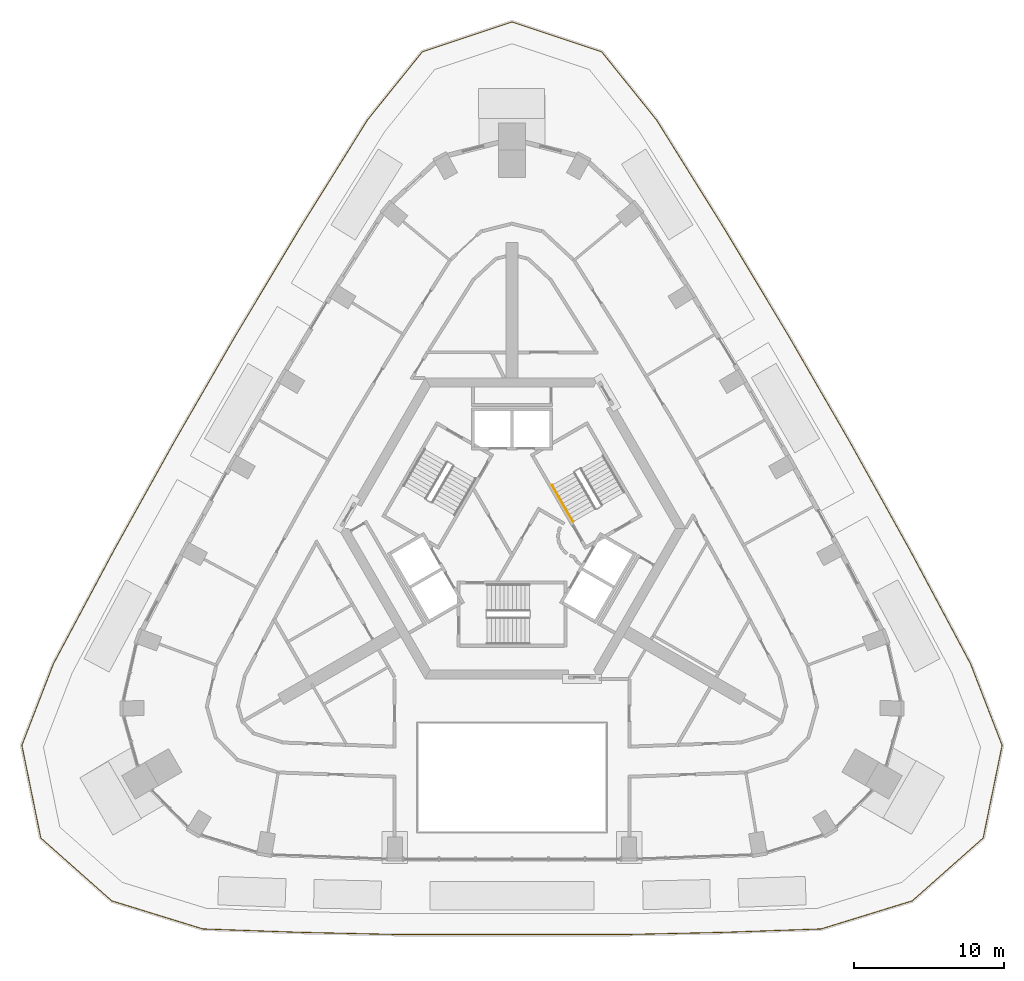
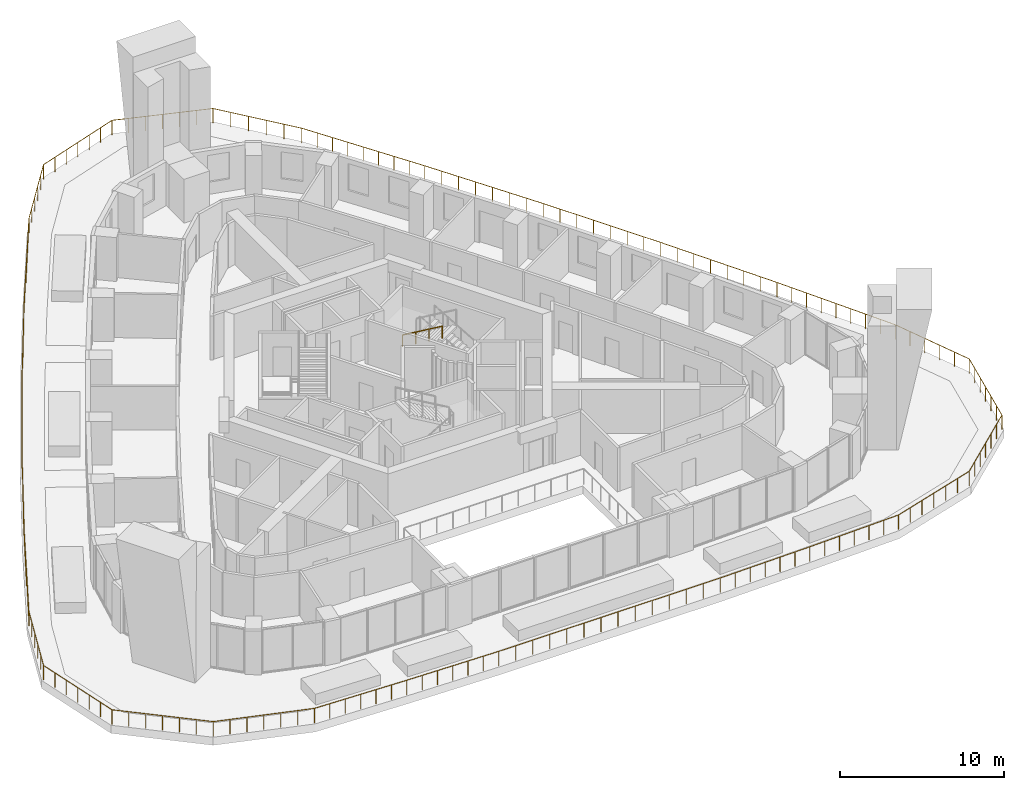
# One storey, part 12 of 14: 2 railings.
"""IFC4 building model written with IfcOpenShell, lengths in metres."""

from ifc_helpers import new_model, si_unit, direction, frame, origin, origin_2d, place, context, subcontext, project, spatial, circle, extrude, material, type_object, element, save


model = new_model("IFC4")

# Units and contexts
model_context = context("Model", 3, precision=1e-05, world=origin(), true_north=direction((0.0, 1.0)))
body_context = subcontext(model_context, "Body", "Model", "MODEL_VIEW")
ifc_project = project(units=[si_unit("LENGTHUNIT", "METRE"), si_unit("AREAUNIT", "SQUARE_METRE"), si_unit("VOLUMEUNIT", "CUBIC_METRE"), si_unit("PLANEANGLEUNIT", "RADIAN"), si_unit("MASSUNIT", "GRAM", prefix="KILO")], contexts=[model_context])

# Site, building, storey
site_placement = place(None, origin())
site = spatial("IfcSite", under=ifc_project, at=site_placement, CompositionType="ELEMENT")
building_placement = place(site_placement, origin())
building = spatial("IfcBuilding", under=site, at=building_placement, Name="Entoto Arch Interchange Tower", CompositionType="ELEMENT")
storey_placement = place(building_placement, frame((0.0, 0.0, 241.39990234375)))
storey = spatial("IfcBuildingStorey", under=building, at=storey_placement, Name="L54", CompositionType="ELEMENT", Elevation=241.39990234375)

# Railings
ifc_material = material(Name="Stainless steel 1.4301", Category="steel")
railing_type_1 = type_object("IfcRailingType", Name="GUARD 1100 STEEL AND GLASS", PredefinedType="GUARDRAIL", material=ifc_material)
railing_1_placement = place(storey_placement, frame((-20.549072265625, -24.1201171875, 0.0)))
element("IfcRailing", 1, at=railing_1_placement, inside=storey, type_object=railing_type_1, Name="Terrace guard L54", PredefinedType="GUARDRAIL", context=body_context, shape_type="SweptSolid", body=[
    extrude(circle(Radius=0.02392578125, at=origin_2d()), frame((0.0, 0.0, 1.076171875), z_axis=(-0.95557200391, 0.294757774016, 0.0), x_axis=(-0.294757774016, -0.95557200391, 0.0)), (0.0, 0.0, 1.0), 6.331298828125),
    extrude(circle(Radius=0.02392578125, at=origin_2d()), frame((-6.050048828125, 1.8662109375, 1.076171875), z_axis=(-0.748450157047, 0.663191045187, 0.0), x_axis=(-0.663191045187, -0.748450157047, 0.0)), (0.0, 0.0, 1.0), 6.296875),
    extrude(circle(Radius=0.02392578125, at=origin_2d()), frame((-10.762939453125, 6.042236328125, 1.076171875), z_axis=(-0.200071832249, 0.979781231674, 0.0), x_axis=(-0.979781231674, -0.200071832249, 0.0)), (0.0, 0.0, 1.0), 6.2880859375),
    extrude(circle(Radius=0.02392578125, at=origin_2d()), frame((-12.02099609375, 12.203125, 1.076171875), z_axis=(0.360992921244, 0.932568555556, 0.0), x_axis=(-0.932568555556, 0.360992921244, 0.0)), (0.0, 0.0, 1.0), 5.7978515625),
    extrude(circle(Radius=0.02392578125, at=origin_2d()), frame((-9.927978515625, 17.610107421875, 1.076171875), z_axis=(0.470546425088, 0.882375238681, 0.0), x_axis=(-0.882375238681, 0.470546425088, 0.0)), (0.0, 0.0, 1.0), 8.486328125),
    extrude(circle(Radius=0.02392578125, at=origin_2d()), frame((-5.934814453125, 25.09814453125, 1.076171875), z_axis=(0.485472355643, 0.874252018532, 0.0), x_axis=(-0.874252018532, 0.485472355643, 0.0)), (0.0, 0.0, 1.0), 8.26416015625),
    extrude(circle(Radius=0.02392578125, at=origin_2d()), frame((-1.9228515625, 32.322998046875, 1.076171875), z_axis=(0.499964538592, 0.86604587647, 0.0), x_axis=(-0.86604587647, 0.499964538592, 0.0)), (0.0, 0.0, 1.0), 8.26416015625),
    extrude(circle(Radius=0.02392578125, at=origin_2d()), frame((2.208984375, 39.480224609375, 1.076171875), z_axis=(0.514391484489, 0.857555479654, 0.0), x_axis=(-0.857555479654, 0.514391484489, 0.0)), (0.0, 0.0, 1.0), 8.26416015625),
    extrude(circle(Radius=0.02392578125, at=origin_2d()), frame((6.4599609375, 46.567138671875, 1.076171875), z_axis=(0.529018421146, 0.84861034055, 0.0), x_axis=(-0.84861034055, 0.529018421146, 0.0)), (0.0, 0.0, 1.0), 8.485595703125),
    extrude(circle(Radius=0.02392578125, at=origin_2d()), frame((10.948974609375, 53.76806640625, 1.076171875), z_axis=(0.626956440078, 0.77905431277, 0.0), x_axis=(-0.77905431277, 0.626956440078, 0.0)), (0.0, 0.0, 1.0), 5.79931640625),
    extrude(circle(Radius=0.02392578125, at=origin_2d()), frame((14.5849609375, 58.2861328125, 1.076171875), z_axis=(0.948590063676, 0.31650733182, 0.0), x_axis=(-0.31650733182, 0.948590063676, 0.0)), (0.0, 0.0, 1.0), 6.287353515625),
    extrude(circle(Radius=0.02392578125, at=origin_2d()), frame((20.549072265625, 60.276123046875, 1.076171875), z_axis=(0.948590063676, -0.31650733182, 0.0), x_axis=(0.31650733182, 0.948590063676, 0.0)), (0.0, 0.0, 1.0), 6.287353515625),
    extrude(circle(Radius=0.02392578125, at=origin_2d()), frame((26.51318359375, 58.2861328125, 1.076171875), z_axis=(0.626956440078, -0.77905431277, 0.0), x_axis=(0.77905431277, 0.626956440078, 0.0)), (0.0, 0.0, 1.0), 5.79931640625),
    extrude(circle(Radius=0.02392578125, at=origin_2d()), frame((30.149169921875, 53.76806640625, 1.076171875), z_axis=(0.529018421146, -0.84861034055, 0.0), x_axis=(0.84861034055, 0.529018421146, 0.0)), (0.0, 0.0, 1.0), 8.485595703125),
    extrude(circle(Radius=0.02392578125, at=origin_2d()), frame((34.63818359375, 46.567138671875, 1.076171875), z_axis=(0.514391484489, -0.857555479654, 0.0), x_axis=(0.857555479654, 0.514391484489, 0.0)), (0.0, 0.0, 1.0), 8.26416015625),
    extrude(circle(Radius=0.02392578125, at=origin_2d()), frame((38.88916015625, 39.480224609375, 1.076171875), z_axis=(0.499964538592, -0.86604587647, 0.0), x_axis=(0.86604587647, 0.499964538592, 0.0)), (0.0, 0.0, 1.0), 8.26416015625),
    extrude(circle(Radius=0.02392578125, at=origin_2d()), frame((43.02099609375, 32.322998046875, 1.076171875), z_axis=(0.485472355643, -0.874252018532, 0.0), x_axis=(0.874252018532, 0.485472355643, 0.0)), (0.0, 0.0, 1.0), 8.26416015625),
    extrude(circle(Radius=0.02392578125, at=origin_2d()), frame((47.032958984375, 25.09814453125, 1.076171875), z_axis=(0.470546425088, -0.882375238681, 0.0), x_axis=(0.882375238681, 0.470546425088, 0.0)), (0.0, 0.0, 1.0), 8.486328125),
    extrude(circle(Radius=0.02392578125, at=origin_2d()), frame((51.026123046875, 17.610107421875, 1.076171875), z_axis=(0.360992921244, -0.932568555556, 0.0), x_axis=(0.932568555556, 0.360992921244, 0.0)), (0.0, 0.0, 1.0), 5.7978515625),
    extrude(circle(Radius=0.02392578125, at=origin_2d()), frame((53.119140625, 12.203125, 1.076171875), z_axis=(-0.200071832249, -0.979781231674, 0.0), x_axis=(0.979781231674, -0.200071832249, 0.0)), (0.0, 0.0, 1.0), 6.2880859375),
    extrude(circle(Radius=0.02392578125, at=origin_2d()), frame((51.861083984375, 6.042236328125, 1.076171875), z_axis=(-0.748450157047, -0.663191045187, 0.0), x_axis=(0.663191045187, -0.748450157047, 0.0)), (0.0, 0.0, 1.0), 6.296875),
    extrude(circle(Radius=0.02392578125, at=origin_2d()), frame((47.148193359375, 1.8662109375, 1.076171875), z_axis=(-0.95557200391, -0.294757774016, 0.0), x_axis=(0.294757774016, -0.95557200391, 0.0)), (0.0, 0.0, 1.0), 6.331298828125),
    extrude(circle(Radius=0.02392578125, at=origin_2d()), frame((41.09814453125, 0.0, 1.076171875), z_axis=(-0.999382423103, -0.035139328297, 0.0), x_axis=(0.035139328297, -0.999382423103, 0.0)), (0.0, 0.0, 1.0), 6.37109375),
    extrude(circle(Radius=0.02392578125, at=origin_2d()), frame((34.73095703125, -0.223876953125, 1.076171875), z_axis=(-0.99975230883, -0.022255807977, 0.0), x_axis=(0.022255807977, -0.99975230883, 0.0)), (0.0, 0.0, 1.0), 6.38427734375),
    extrude(circle(Radius=0.02392578125, at=origin_2d()), frame((28.34814453125, -0.365966796875, 1.076171875), z_axis=(-1.0, 0.0, 0.0), x_axis=(0.0, -1.0, 0.0)), (0.0, 0.0, 1.0), 15.59814453125),
    extrude(circle(Radius=0.02392578125, at=origin_2d()), frame((12.75, -0.365966796875, 1.076171875), z_axis=(-0.99975230883, 0.022255807977, 0.0), x_axis=(-0.022255807977, -0.99975230883, 0.0)), (0.0, 0.0, 1.0), 6.38427734375),
    extrude(circle(Radius=0.02392578125, at=origin_2d()), frame((6.3671875, -0.223876953125, 1.076171875), z_axis=(-0.999382423103, 0.035139328297, 0.0), x_axis=(-0.035139328297, -0.999382423103, 0.0)), (0.0, 0.0, 1.0), 6.37109375),
    extrude(circle(Radius=0.02099609375, at=origin_2d()), origin(), (0.0, 0.0, 1.0), 1.052001953125),
    extrude(circle(Radius=0.02099609375, at=origin_2d()), frame((-1.00830078125, 0.31103515625, 0.0)), (0.0, 0.0, 1.0), 1.052001953125),
    extrude(circle(Radius=0.02099609375, at=origin_2d()), frame((-2.0166015625, 0.6220703125, 0.0)), (0.0, 0.0, 1.0), 1.052001953125),
    extrude(circle(Radius=0.02099609375, at=origin_2d()), frame((-3.02490234375, 0.93310546875, 0.0)), (0.0, 0.0, 1.0), 1.052001953125),
    extrude(circle(Radius=0.02099609375, at=origin_2d()), frame((-4.033447265625, 1.244140625, 0.0)), (0.0, 0.0, 1.0), 1.052001953125),
    extrude(circle(Radius=0.02099609375, at=origin_2d()), frame((-5.041748046875, 1.55517578125, 0.0)), (0.0, 0.0, 1.0), 1.052001953125),
    extrude(circle(Radius=0.02099609375, at=origin_2d()), frame((-6.050048828125, 1.8662109375, 0.0)), (0.0, 0.0, 1.0), 1.052001953125),
    extrude(circle(Radius=0.02099609375, at=origin_2d()), frame((-6.83544921875, 2.562255859375, 0.0)), (0.0, 0.0, 1.0), 1.052001953125),
    extrude(circle(Radius=0.02099609375, at=origin_2d()), frame((-7.62109375, 3.25830078125, 0.0)), (0.0, 0.0, 1.0), 1.052001953125),
    extrude(circle(Radius=0.02099609375, at=origin_2d()), frame((-8.406494140625, 3.9541015625, 0.0)), (0.0, 0.0, 1.0), 1.052001953125),
    extrude(circle(Radius=0.02099609375, at=origin_2d()), frame((-9.19189453125, 4.650146484375, 0.0)), (0.0, 0.0, 1.0), 1.052001953125),
    extrude(circle(Radius=0.02099609375, at=origin_2d()), frame((-9.9775390625, 5.34619140625, 0.0)), (0.0, 0.0, 1.0), 1.052001953125),
    extrude(circle(Radius=0.02099609375, at=origin_2d()), frame((-10.762939453125, 6.042236328125, 0.0)), (0.0, 0.0, 1.0), 1.052001953125),
    extrude(circle(Radius=0.02099609375, at=origin_2d()), frame((-10.97265625, 7.069091796875, 0.0)), (0.0, 0.0, 1.0), 1.052001953125),
    extrude(circle(Radius=0.02099609375, at=origin_2d()), frame((-11.182373046875, 8.095947265625, 0.0)), (0.0, 0.0, 1.0), 1.052001953125),
    extrude(circle(Radius=0.02099609375, at=origin_2d()), frame((-11.39208984375, 9.12255859375, 0.0)), (0.0, 0.0, 1.0), 1.052001953125),
    extrude(circle(Radius=0.02099609375, at=origin_2d()), frame((-11.6015625, 10.1494140625, 0.0)), (0.0, 0.0, 1.0), 1.052001953125),
    extrude(circle(Radius=0.02099609375, at=origin_2d()), frame((-11.811279296875, 11.17626953125, 0.0)), (0.0, 0.0, 1.0), 1.052001953125),
    extrude(circle(Radius=0.02099609375, at=origin_2d()), frame((-12.02099609375, 12.203125, 0.0)), (0.0, 0.0, 1.0), 1.052001953125),
    extrude(circle(Radius=0.02099609375, at=origin_2d()), frame((-11.602294921875, 13.284423828125, 0.0)), (0.0, 0.0, 1.0), 1.052001953125),
    extrude(circle(Radius=0.02099609375, at=origin_2d()), frame((-11.183837890625, 14.365966796875, 0.0)), (0.0, 0.0, 1.0), 1.052001953125),
    extrude(circle(Radius=0.02099609375, at=origin_2d()), frame((-10.76513671875, 15.447265625, 0.0)), (0.0, 0.0, 1.0), 1.052001953125),
    extrude(circle(Radius=0.02099609375, at=origin_2d()), frame((-10.3466796875, 16.52880859375, 0.0)), (0.0, 0.0, 1.0), 1.052001953125),
    extrude(circle(Radius=0.02099609375, at=origin_2d()), frame((-9.927978515625, 17.610107421875, 0.0)), (0.0, 0.0, 1.0), 1.052001953125),
    extrude(circle(Radius=0.02099609375, at=origin_2d()), frame((-9.4287109375, 18.546142578125, 0.0)), (0.0, 0.0, 1.0), 1.052001953125),
    extrude(circle(Radius=0.02099609375, at=origin_2d()), frame((-8.9296875, 19.482177734375, 0.0)), (0.0, 0.0, 1.0), 1.052001953125),
    extrude(circle(Radius=0.02099609375, at=origin_2d()), frame((-8.4306640625, 20.418212890625, 0.0)), (0.0, 0.0, 1.0), 1.052001953125),
    extrude(circle(Radius=0.02099609375, at=origin_2d()), frame((-7.931396484375, 21.35400390625, 0.0)), (0.0, 0.0, 1.0), 1.052001953125),
    extrude(circle(Radius=0.02099609375, at=origin_2d()), frame((-7.43212890625, 22.2900390625, 0.0)), (0.0, 0.0, 1.0), 1.052001953125),
    extrude(circle(Radius=0.02099609375, at=origin_2d()), frame((-6.93310546875, 23.22607421875, 0.0)), (0.0, 0.0, 1.0), 1.052001953125),
    extrude(circle(Radius=0.02099609375, at=origin_2d()), frame((-6.43408203125, 24.162109375, 0.0)), (0.0, 0.0, 1.0), 1.052001953125),
    extrude(circle(Radius=0.02099609375, at=origin_2d()), frame((-5.934814453125, 25.09814453125, 0.0)), (0.0, 0.0, 1.0), 1.052001953125),
    extrude(circle(Radius=0.02099609375, at=origin_2d()), frame((-5.361572265625, 26.13037109375, 0.0)), (0.0, 0.0, 1.0), 1.052001953125),
    extrude(circle(Radius=0.02099609375, at=origin_2d()), frame((-4.78857421875, 27.162353515625, 0.0)), (0.0, 0.0, 1.0), 1.052001953125),
    extrude(circle(Radius=0.02099609375, at=origin_2d()), frame((-4.21533203125, 28.194580078125, 0.0)), (0.0, 0.0, 1.0), 1.052001953125),
    extrude(circle(Radius=0.02099609375, at=origin_2d()), frame((-3.642333984375, 29.2265625, 0.0)), (0.0, 0.0, 1.0), 1.052001953125),
    extrude(circle(Radius=0.02099609375, at=origin_2d()), frame((-3.069091796875, 30.2587890625, 0.0)), (0.0, 0.0, 1.0), 1.052001953125),
    extrude(circle(Radius=0.02099609375, at=origin_2d()), frame((-2.49609375, 31.290771484375, 0.0)), (0.0, 0.0, 1.0), 1.052001953125),
    extrude(circle(Radius=0.02099609375, at=origin_2d()), frame((-1.9228515625, 32.322998046875, 0.0)), (0.0, 0.0, 1.0), 1.052001953125),
    extrude(circle(Radius=0.02099609375, at=origin_2d()), frame((-1.33251953125, 33.345458984375, 0.0)), (0.0, 0.0, 1.0), 1.052001953125),
    extrude(circle(Radius=0.02099609375, at=origin_2d()), frame((-0.742431640625, 34.367919921875, 0.0)), (0.0, 0.0, 1.0), 1.052001953125),
    extrude(circle(Radius=0.02099609375, at=origin_2d()), frame((-0.152099609375, 35.390380859375, 0.0)), (0.0, 0.0, 1.0), 1.052001953125),
    extrude(circle(Radius=0.02099609375, at=origin_2d()), frame((0.438232421875, 36.412841796875, 0.0)), (0.0, 0.0, 1.0), 1.052001953125),
    extrude(circle(Radius=0.02099609375, at=origin_2d()), frame((1.028564453125, 37.435302734375, 0.0)), (0.0, 0.0, 1.0), 1.052001953125),
    extrude(circle(Radius=0.02099609375, at=origin_2d()), frame((1.61865234375, 38.457763671875, 0.0)), (0.0, 0.0, 1.0), 1.052001953125),
    extrude(circle(Radius=0.02099609375, at=origin_2d()), frame((2.208984375, 39.480224609375, 0.0)), (0.0, 0.0, 1.0), 1.052001953125),
    extrude(circle(Radius=0.02099609375, at=origin_2d()), frame((2.816162109375, 40.49267578125, 0.0)), (0.0, 0.0, 1.0), 1.052001953125),
    extrude(circle(Radius=0.02099609375, at=origin_2d()), frame((3.423583984375, 41.505126953125, 0.0)), (0.0, 0.0, 1.0), 1.052001953125),
    extrude(circle(Radius=0.02099609375, at=origin_2d()), frame((4.03076171875, 42.517578125, 0.0)), (0.0, 0.0, 1.0), 1.052001953125),
    extrude(circle(Radius=0.02099609375, at=origin_2d()), frame((4.63818359375, 43.52978515625, 0.0)), (0.0, 0.0, 1.0), 1.052001953125),
    extrude(circle(Radius=0.02099609375, at=origin_2d()), frame((5.245361328125, 44.542236328125, 0.0)), (0.0, 0.0, 1.0), 1.052001953125),
    extrude(circle(Radius=0.02099609375, at=origin_2d()), frame((5.852783203125, 45.5546875, 0.0)), (0.0, 0.0, 1.0), 1.052001953125),
    extrude(circle(Radius=0.02099609375, at=origin_2d()), frame((6.4599609375, 46.567138671875, 0.0)), (0.0, 0.0, 1.0), 1.052001953125),
    extrude(circle(Radius=0.02099609375, at=origin_2d()), frame((7.02099609375, 47.46728515625, 0.0)), (0.0, 0.0, 1.0), 1.052001953125),
    extrude(circle(Radius=0.02099609375, at=origin_2d()), frame((7.582275390625, 48.367431640625, 0.0)), (0.0, 0.0, 1.0), 1.052001953125),
    extrude(circle(Radius=0.02099609375, at=origin_2d()), frame((8.143310546875, 49.267578125, 0.0)), (0.0, 0.0, 1.0), 1.052001953125),
    extrude(circle(Radius=0.02099609375, at=origin_2d()), frame((8.70458984375, 50.16748046875, 0.0)), (0.0, 0.0, 1.0), 1.052001953125),
    extrude(circle(Radius=0.02099609375, at=origin_2d()), frame((9.265625, 51.067626953125, 0.0)), (0.0, 0.0, 1.0), 1.052001953125),
    extrude(circle(Radius=0.02099609375, at=origin_2d()), frame((9.82666015625, 51.9677734375, 0.0)), (0.0, 0.0, 1.0), 1.052001953125),
    extrude(circle(Radius=0.02099609375, at=origin_2d()), frame((10.387939453125, 52.867919921875, 0.0)), (0.0, 0.0, 1.0), 1.052001953125),
    extrude(circle(Radius=0.02099609375, at=origin_2d()), frame((10.948974609375, 53.76806640625, 0.0)), (0.0, 0.0, 1.0), 1.052001953125),
    extrude(circle(Radius=0.02099609375, at=origin_2d()), frame((11.67626953125, 54.671630859375, 0.0)), (0.0, 0.0, 1.0), 1.052001953125),
    extrude(circle(Radius=0.02099609375, at=origin_2d()), frame((12.4033203125, 55.5751953125, 0.0)), (0.0, 0.0, 1.0), 1.052001953125),
    extrude(circle(Radius=0.02099609375, at=origin_2d()), frame((13.130615234375, 56.47900390625, 0.0)), (0.0, 0.0, 1.0), 1.052001953125),
    extrude(circle(Radius=0.02099609375, at=origin_2d()), frame((13.857666015625, 57.382568359375, 0.0)), (0.0, 0.0, 1.0), 1.052001953125),
    extrude(circle(Radius=0.02099609375, at=origin_2d()), frame((14.5849609375, 58.2861328125, 0.0)), (0.0, 0.0, 1.0), 1.052001953125),
    extrude(circle(Radius=0.02099609375, at=origin_2d()), frame((15.5791015625, 58.61767578125, 0.0)), (0.0, 0.0, 1.0), 1.052001953125),
    extrude(circle(Radius=0.02099609375, at=origin_2d()), frame((16.572998046875, 58.949462890625, 0.0)), (0.0, 0.0, 1.0), 1.052001953125),
    extrude(circle(Radius=0.02099609375, at=origin_2d()), frame((17.56689453125, 59.28125, 0.0)), (0.0, 0.0, 1.0), 1.052001953125),
    extrude(circle(Radius=0.02099609375, at=origin_2d()), frame((18.56103515625, 59.61279296875, 0.0)), (0.0, 0.0, 1.0), 1.052001953125),
    extrude(circle(Radius=0.02099609375, at=origin_2d()), frame((19.55517578125, 59.9443359375, 0.0)), (0.0, 0.0, 1.0), 1.052001953125),
    extrude(circle(Radius=0.02099609375, at=origin_2d()), frame((20.549072265625, 60.276123046875, 0.0)), (0.0, 0.0, 1.0), 1.052001953125),
    extrude(circle(Radius=0.02099609375, at=origin_2d()), frame((21.54296875, 59.9443359375, 0.0)), (0.0, 0.0, 1.0), 1.052001953125),
    extrude(circle(Radius=0.02099609375, at=origin_2d()), frame((22.537109375, 59.61279296875, 0.0)), (0.0, 0.0, 1.0), 1.052001953125),
    extrude(circle(Radius=0.02099609375, at=origin_2d()), frame((23.53125, 59.28125, 0.0)), (0.0, 0.0, 1.0), 1.052001953125),
    extrude(circle(Radius=0.02099609375, at=origin_2d()), frame((24.525146484375, 58.949462890625, 0.0)), (0.0, 0.0, 1.0), 1.052001953125),
    extrude(circle(Radius=0.02099609375, at=origin_2d()), frame((25.51904296875, 58.61767578125, 0.0)), (0.0, 0.0, 1.0), 1.052001953125),
    extrude(circle(Radius=0.02099609375, at=origin_2d()), frame((26.51318359375, 58.2861328125, 0.0)), (0.0, 0.0, 1.0), 1.052001953125),
    extrude(circle(Radius=0.02099609375, at=origin_2d()), frame((27.240478515625, 57.382568359375, 0.0)), (0.0, 0.0, 1.0), 1.052001953125),
    extrude(circle(Radius=0.02099609375, at=origin_2d()), frame((27.967529296875, 56.47900390625, 0.0)), (0.0, 0.0, 1.0), 1.052001953125),
    extrude(circle(Radius=0.02099609375, at=origin_2d()), frame((28.69482421875, 55.5751953125, 0.0)), (0.0, 0.0, 1.0), 1.052001953125),
    extrude(circle(Radius=0.02099609375, at=origin_2d()), frame((29.421875, 54.671630859375, 0.0)), (0.0, 0.0, 1.0), 1.052001953125),
    extrude(circle(Radius=0.02099609375, at=origin_2d()), frame((30.149169921875, 53.76806640625, 0.0)), (0.0, 0.0, 1.0), 1.052001953125),
    extrude(circle(Radius=0.02099609375, at=origin_2d()), frame((30.710205078125, 52.867919921875, 0.0)), (0.0, 0.0, 1.0), 1.052001953125),
    extrude(circle(Radius=0.02099609375, at=origin_2d()), frame((31.271484375, 51.9677734375, 0.0)), (0.0, 0.0, 1.0), 1.052001953125),
    extrude(circle(Radius=0.02099609375, at=origin_2d()), frame((31.83251953125, 51.067626953125, 0.0)), (0.0, 0.0, 1.0), 1.052001953125),
    extrude(circle(Radius=0.02099609375, at=origin_2d()), frame((32.3935546875, 50.16748046875, 0.0)), (0.0, 0.0, 1.0), 1.052001953125),
    extrude(circle(Radius=0.02099609375, at=origin_2d()), frame((32.954833984375, 49.267578125, 0.0)), (0.0, 0.0, 1.0), 1.052001953125),
    extrude(circle(Radius=0.02099609375, at=origin_2d()), frame((33.515869140625, 48.367431640625, 0.0)), (0.0, 0.0, 1.0), 1.052001953125),
    extrude(circle(Radius=0.02099609375, at=origin_2d()), frame((34.0771484375, 47.46728515625, 0.0)), (0.0, 0.0, 1.0), 1.052001953125),
    extrude(circle(Radius=0.02099609375, at=origin_2d()), frame((34.63818359375, 46.567138671875, 0.0)), (0.0, 0.0, 1.0), 1.052001953125),
    extrude(circle(Radius=0.02099609375, at=origin_2d()), frame((35.245361328125, 45.5546875, 0.0)), (0.0, 0.0, 1.0), 1.052001953125),
    extrude(circle(Radius=0.02099609375, at=origin_2d()), frame((35.852783203125, 44.542236328125, 0.0)), (0.0, 0.0, 1.0), 1.052001953125),
    extrude(circle(Radius=0.02099609375, at=origin_2d()), frame((36.4599609375, 43.52978515625, 0.0)), (0.0, 0.0, 1.0), 1.052001953125),
    extrude(circle(Radius=0.02099609375, at=origin_2d()), frame((37.0673828125, 42.517578125, 0.0)), (0.0, 0.0, 1.0), 1.052001953125),
    extrude(circle(Radius=0.02099609375, at=origin_2d()), frame((37.674560546875, 41.505126953125, 0.0)), (0.0, 0.0, 1.0), 1.052001953125),
    extrude(circle(Radius=0.02099609375, at=origin_2d()), frame((38.281982421875, 40.49267578125, 0.0)), (0.0, 0.0, 1.0), 1.052001953125),
    extrude(circle(Radius=0.02099609375, at=origin_2d()), frame((38.88916015625, 39.480224609375, 0.0)), (0.0, 0.0, 1.0), 1.052001953125),
    extrude(circle(Radius=0.02099609375, at=origin_2d()), frame((39.4794921875, 38.457763671875, 0.0)), (0.0, 0.0, 1.0), 1.052001953125),
    extrude(circle(Radius=0.02099609375, at=origin_2d()), frame((40.069580078125, 37.435302734375, 0.0)), (0.0, 0.0, 1.0), 1.052001953125),
    extrude(circle(Radius=0.02099609375, at=origin_2d()), frame((40.659912109375, 36.412841796875, 0.0)), (0.0, 0.0, 1.0), 1.052001953125),
    extrude(circle(Radius=0.02099609375, at=origin_2d()), frame((41.250244140625, 35.390380859375, 0.0)), (0.0, 0.0, 1.0), 1.052001953125),
    extrude(circle(Radius=0.02099609375, at=origin_2d()), frame((41.840576171875, 34.367919921875, 0.0)), (0.0, 0.0, 1.0), 1.052001953125),
    extrude(circle(Radius=0.02099609375, at=origin_2d()), frame((42.4306640625, 33.345458984375, 0.0)), (0.0, 0.0, 1.0), 1.052001953125),
    extrude(circle(Radius=0.02099609375, at=origin_2d()), frame((43.02099609375, 32.322998046875, 0.0)), (0.0, 0.0, 1.0), 1.052001953125),
    extrude(circle(Radius=0.02099609375, at=origin_2d()), frame((43.59423828125, 31.290771484375, 0.0)), (0.0, 0.0, 1.0), 1.052001953125),
    extrude(circle(Radius=0.02099609375, at=origin_2d()), frame((44.167236328125, 30.2587890625, 0.0)), (0.0, 0.0, 1.0), 1.052001953125),
    extrude(circle(Radius=0.02099609375, at=origin_2d()), frame((44.740478515625, 29.2265625, 0.0)), (0.0, 0.0, 1.0), 1.052001953125),
    extrude(circle(Radius=0.02099609375, at=origin_2d()), frame((45.3134765625, 28.194580078125, 0.0)), (0.0, 0.0, 1.0), 1.052001953125),
    extrude(circle(Radius=0.02099609375, at=origin_2d()), frame((45.88671875, 27.162353515625, 0.0)), (0.0, 0.0, 1.0), 1.052001953125),
    extrude(circle(Radius=0.02099609375, at=origin_2d()), frame((46.459716796875, 26.13037109375, 0.0)), (0.0, 0.0, 1.0), 1.052001953125),
    extrude(circle(Radius=0.02099609375, at=origin_2d()), frame((47.032958984375, 25.09814453125, 0.0)), (0.0, 0.0, 1.0), 1.052001953125),
    extrude(circle(Radius=0.02099609375, at=origin_2d()), frame((47.5322265625, 24.162109375, 0.0)), (0.0, 0.0, 1.0), 1.052001953125),
    extrude(circle(Radius=0.02099609375, at=origin_2d()), frame((48.03125, 23.22607421875, 0.0)), (0.0, 0.0, 1.0), 1.052001953125),
    extrude(circle(Radius=0.02099609375, at=origin_2d()), frame((48.5302734375, 22.2900390625, 0.0)), (0.0, 0.0, 1.0), 1.052001953125),
    extrude(circle(Radius=0.02099609375, at=origin_2d()), frame((49.029541015625, 21.35400390625, 0.0)), (0.0, 0.0, 1.0), 1.052001953125),
    extrude(circle(Radius=0.02099609375, at=origin_2d()), frame((49.52880859375, 20.418212890625, 0.0)), (0.0, 0.0, 1.0), 1.052001953125),
    extrude(circle(Radius=0.02099609375, at=origin_2d()), frame((50.02783203125, 19.482177734375, 0.0)), (0.0, 0.0, 1.0), 1.052001953125),
    extrude(circle(Radius=0.02099609375, at=origin_2d()), frame((50.52685546875, 18.546142578125, 0.0)), (0.0, 0.0, 1.0), 1.052001953125),
    extrude(circle(Radius=0.02099609375, at=origin_2d()), frame((51.026123046875, 17.610107421875, 0.0)), (0.0, 0.0, 1.0), 1.052001953125),
    extrude(circle(Radius=0.02099609375, at=origin_2d()), frame((51.44482421875, 16.52880859375, 0.0)), (0.0, 0.0, 1.0), 1.052001953125),
    extrude(circle(Radius=0.02099609375, at=origin_2d()), frame((51.86328125, 15.447265625, 0.0)), (0.0, 0.0, 1.0), 1.052001953125),
    extrude(circle(Radius=0.02099609375, at=origin_2d()), frame((52.281982421875, 14.365966796875, 0.0)), (0.0, 0.0, 1.0), 1.052001953125),
    extrude(circle(Radius=0.02099609375, at=origin_2d()), frame((52.700439453125, 13.284423828125, 0.0)), (0.0, 0.0, 1.0), 1.052001953125),
    extrude(circle(Radius=0.02099609375, at=origin_2d()), frame((53.119140625, 12.203125, 0.0)), (0.0, 0.0, 1.0), 1.052001953125),
    extrude(circle(Radius=0.02099609375, at=origin_2d()), frame((52.909423828125, 11.17626953125, 0.0)), (0.0, 0.0, 1.0), 1.052001953125),
    extrude(circle(Radius=0.02099609375, at=origin_2d()), frame((52.69970703125, 10.1494140625, 0.0)), (0.0, 0.0, 1.0), 1.052001953125),
    extrude(circle(Radius=0.02099609375, at=origin_2d()), frame((52.490234375, 9.12255859375, 0.0)), (0.0, 0.0, 1.0), 1.052001953125),
    extrude(circle(Radius=0.02099609375, at=origin_2d()), frame((52.280517578125, 8.095947265625, 0.0)), (0.0, 0.0, 1.0), 1.052001953125),
    extrude(circle(Radius=0.02099609375, at=origin_2d()), frame((52.07080078125, 7.069091796875, 0.0)), (0.0, 0.0, 1.0), 1.052001953125),
    extrude(circle(Radius=0.02099609375, at=origin_2d()), frame((51.861083984375, 6.042236328125, 0.0)), (0.0, 0.0, 1.0), 1.052001953125),
    extrude(circle(Radius=0.02099609375, at=origin_2d()), frame((51.07568359375, 5.34619140625, 0.0)), (0.0, 0.0, 1.0), 1.052001953125),
    extrude(circle(Radius=0.02099609375, at=origin_2d()), frame((50.2900390625, 4.650146484375, 0.0)), (0.0, 0.0, 1.0), 1.052001953125),
    extrude(circle(Radius=0.02099609375, at=origin_2d()), frame((49.504638671875, 3.9541015625, 0.0)), (0.0, 0.0, 1.0), 1.052001953125),
    extrude(circle(Radius=0.02099609375, at=origin_2d()), frame((48.71923828125, 3.25830078125, 0.0)), (0.0, 0.0, 1.0), 1.052001953125),
    extrude(circle(Radius=0.02099609375, at=origin_2d()), frame((47.93359375, 2.562255859375, 0.0)), (0.0, 0.0, 1.0), 1.052001953125),
    extrude(circle(Radius=0.02099609375, at=origin_2d()), frame((47.148193359375, 1.8662109375, 0.0)), (0.0, 0.0, 1.0), 1.052001953125),
    extrude(circle(Radius=0.02099609375, at=origin_2d()), frame((46.139892578125, 1.55517578125, 0.0)), (0.0, 0.0, 1.0), 1.052001953125),
    extrude(circle(Radius=0.02099609375, at=origin_2d()), frame((45.131591796875, 1.244140625, 0.0)), (0.0, 0.0, 1.0), 1.052001953125),
    extrude(circle(Radius=0.02099609375, at=origin_2d()), frame((44.123046875, 0.93310546875, 0.0)), (0.0, 0.0, 1.0), 1.052001953125),
    extrude(circle(Radius=0.02099609375, at=origin_2d()), frame((43.11474609375, 0.6220703125, 0.0)), (0.0, 0.0, 1.0), 1.052001953125),
    extrude(circle(Radius=0.02099609375, at=origin_2d()), frame((42.1064453125, 0.31103515625, 0.0)), (0.0, 0.0, 1.0), 1.052001953125),
    extrude(circle(Radius=0.02099609375, at=origin_2d()), frame((41.09814453125, 0.0, 0.0)), (0.0, 0.0, 1.0), 1.052001953125),
    extrude(circle(Radius=0.02099609375, at=origin_2d()), frame((40.036865234375, -0.037353515625, 0.0)), (0.0, 0.0, 1.0), 1.052001953125),
    extrude(circle(Radius=0.02099609375, at=origin_2d()), frame((38.975830078125, -0.07470703125, 0.0)), (0.0, 0.0, 1.0), 1.052001953125),
    extrude(circle(Radius=0.02099609375, at=origin_2d()), frame((37.91455078125, -0.11181640625, 0.0)), (0.0, 0.0, 1.0), 1.052001953125),
    extrude(circle(Radius=0.02099609375, at=origin_2d()), frame((36.853271484375, -0.149169921875, 0.0)), (0.0, 0.0, 1.0), 1.052001953125),
    extrude(circle(Radius=0.02099609375, at=origin_2d()), frame((35.792236328125, -0.1865234375, 0.0)), (0.0, 0.0, 1.0), 1.052001953125),
    extrude(circle(Radius=0.02099609375, at=origin_2d()), frame((34.73095703125, -0.223876953125, 0.0)), (0.0, 0.0, 1.0), 1.052001953125),
    extrude(circle(Radius=0.02099609375, at=origin_2d()), frame((33.667236328125, -0.24755859375, 0.0)), (0.0, 0.0, 1.0), 1.052001953125),
    extrude(circle(Radius=0.02099609375, at=origin_2d()), frame((32.603271484375, -0.271240234375, 0.0)), (0.0, 0.0, 1.0), 1.052001953125),
    extrude(circle(Radius=0.02099609375, at=origin_2d()), frame((31.53955078125, -0.294921875, 0.0)), (0.0, 0.0, 1.0), 1.052001953125),
    extrude(circle(Radius=0.02099609375, at=origin_2d()), frame((30.475830078125, -0.318603515625, 0.0)), (0.0, 0.0, 1.0), 1.052001953125),
    extrude(circle(Radius=0.02099609375, at=origin_2d()), frame((29.411865234375, -0.34228515625, 0.0)), (0.0, 0.0, 1.0), 1.052001953125),
    extrude(circle(Radius=0.02099609375, at=origin_2d()), frame((28.34814453125, -0.365966796875, 0.0)), (0.0, 0.0, 1.0), 1.052001953125),
    extrude(circle(Radius=0.02099609375, at=origin_2d()), frame((27.148193359375, -0.365966796875, 0.0)), (0.0, 0.0, 1.0), 1.052001953125),
    extrude(circle(Radius=0.02099609375, at=origin_2d()), frame((25.948486328125, -0.365966796875, 0.0)), (0.0, 0.0, 1.0), 1.052001953125),
    extrude(circle(Radius=0.02099609375, at=origin_2d()), frame((24.74853515625, -0.365966796875, 0.0)), (0.0, 0.0, 1.0), 1.052001953125),
    extrude(circle(Radius=0.02099609375, at=origin_2d()), frame((23.548828125, -0.365966796875, 0.0)), (0.0, 0.0, 1.0), 1.052001953125),
    extrude(circle(Radius=0.02099609375, at=origin_2d()), frame((22.348876953125, -0.365966796875, 0.0)), (0.0, 0.0, 1.0), 1.052001953125),
    extrude(circle(Radius=0.02099609375, at=origin_2d()), frame((21.14892578125, -0.365966796875, 0.0)), (0.0, 0.0, 1.0), 1.052001953125),
    extrude(circle(Radius=0.02099609375, at=origin_2d()), frame((19.94921875, -0.365966796875, 0.0)), (0.0, 0.0, 1.0), 1.052001953125),
    extrude(circle(Radius=0.02099609375, at=origin_2d()), frame((18.749267578125, -0.365966796875, 0.0)), (0.0, 0.0, 1.0), 1.052001953125),
    extrude(circle(Radius=0.02099609375, at=origin_2d()), frame((17.54931640625, -0.365966796875, 0.0)), (0.0, 0.0, 1.0), 1.052001953125),
    extrude(circle(Radius=0.02099609375, at=origin_2d()), frame((16.349609375, -0.365966796875, 0.0)), (0.0, 0.0, 1.0), 1.052001953125),
    extrude(circle(Radius=0.02099609375, at=origin_2d()), frame((15.149658203125, -0.365966796875, 0.0)), (0.0, 0.0, 1.0), 1.052001953125),
    extrude(circle(Radius=0.02099609375, at=origin_2d()), frame((13.949951171875, -0.365966796875, 0.0)), (0.0, 0.0, 1.0), 1.052001953125),
    extrude(circle(Radius=0.02099609375, at=origin_2d()), frame((12.75, -0.365966796875, 0.0)), (0.0, 0.0, 1.0), 1.052001953125),
    extrude(circle(Radius=0.02099609375, at=origin_2d()), frame((11.686279296875, -0.34228515625, 0.0)), (0.0, 0.0, 1.0), 1.052001953125),
    extrude(circle(Radius=0.02099609375, at=origin_2d()), frame((10.622314453125, -0.318603515625, 0.0)), (0.0, 0.0, 1.0), 1.052001953125),
    extrude(circle(Radius=0.02099609375, at=origin_2d()), frame((9.55859375, -0.294921875, 0.0)), (0.0, 0.0, 1.0), 1.052001953125),
    extrude(circle(Radius=0.02099609375, at=origin_2d()), frame((8.494873046875, -0.271240234375, 0.0)), (0.0, 0.0, 1.0), 1.052001953125),
    extrude(circle(Radius=0.02099609375, at=origin_2d()), frame((7.430908203125, -0.24755859375, 0.0)), (0.0, 0.0, 1.0), 1.052001953125),
    extrude(circle(Radius=0.02099609375, at=origin_2d()), frame((6.3671875, -0.223876953125, 0.0)), (0.0, 0.0, 1.0), 1.052001953125),
    extrude(circle(Radius=0.02099609375, at=origin_2d()), frame((5.305908203125, -0.1865234375, 0.0)), (0.0, 0.0, 1.0), 1.052001953125),
    extrude(circle(Radius=0.02099609375, at=origin_2d()), frame((4.244873046875, -0.149169921875, 0.0)), (0.0, 0.0, 1.0), 1.052001953125),
    extrude(circle(Radius=0.02099609375, at=origin_2d()), frame((3.18359375, -0.11181640625, 0.0)), (0.0, 0.0, 1.0), 1.052001953125),
    extrude(circle(Radius=0.02099609375, at=origin_2d()), frame((2.122314453125, -0.07470703125, 0.0)), (0.0, 0.0, 1.0), 1.052001953125),
    extrude(circle(Radius=0.02099609375, at=origin_2d()), frame((1.061279296875, -0.037353515625, 0.0)), (0.0, 0.0, 1.0), 1.052001953125),
])
railing_type_2 = type_object("IfcRailingType", Name="STAIR HANDRAIL 900 STEEL", PredefinedType="HANDRAIL", material=ifc_material)
railing_2_placement = place(storey_placement, frame((2.672607421875, 5.370849609375, 1.963623046875)))
element("IfcRailing", 2, at=railing_2_placement, inside=storey, type_object=railing_type_2, Name="L54 ST-NE stair handrail 2", PredefinedType="HANDRAIL", context=body_context, shape_type="SweptSolid", body=[
    extrude(circle(Radius=0.02392578125, at=origin_2d()), frame((0.0, 0.0, 0.8759765625), z_axis=(0.431660630283, -0.747689811644, 0.504607813879), x_axis=(0.866034573852, 0.49998411664, 0.0)), (0.0, 0.0, 1.0), 3.2431640625),
    extrude(circle(Radius=0.02099609375, at=origin_2d()), origin(), (0.0, 0.0, 1.0), 0.851806640625),
    extrude(circle(Radius=0.02099609375, at=origin_2d()), frame((0.466552734375, -0.808349609375, 0.54541015625)), (0.0, 0.0, 1.0), 0.851806640625),
    extrude(circle(Radius=0.02099609375, at=origin_2d()), frame((0.933349609375, -1.616455078125, 1.091064453125)), (0.0, 0.0, 1.0), 0.851806640625),
    extrude(circle(Radius=0.02099609375, at=origin_2d()), frame((1.39990234375, -2.4248046875, 1.636474609375)), (0.0, 0.0, 1.0), 0.851806640625),
])

save(model, "model.ifc")
